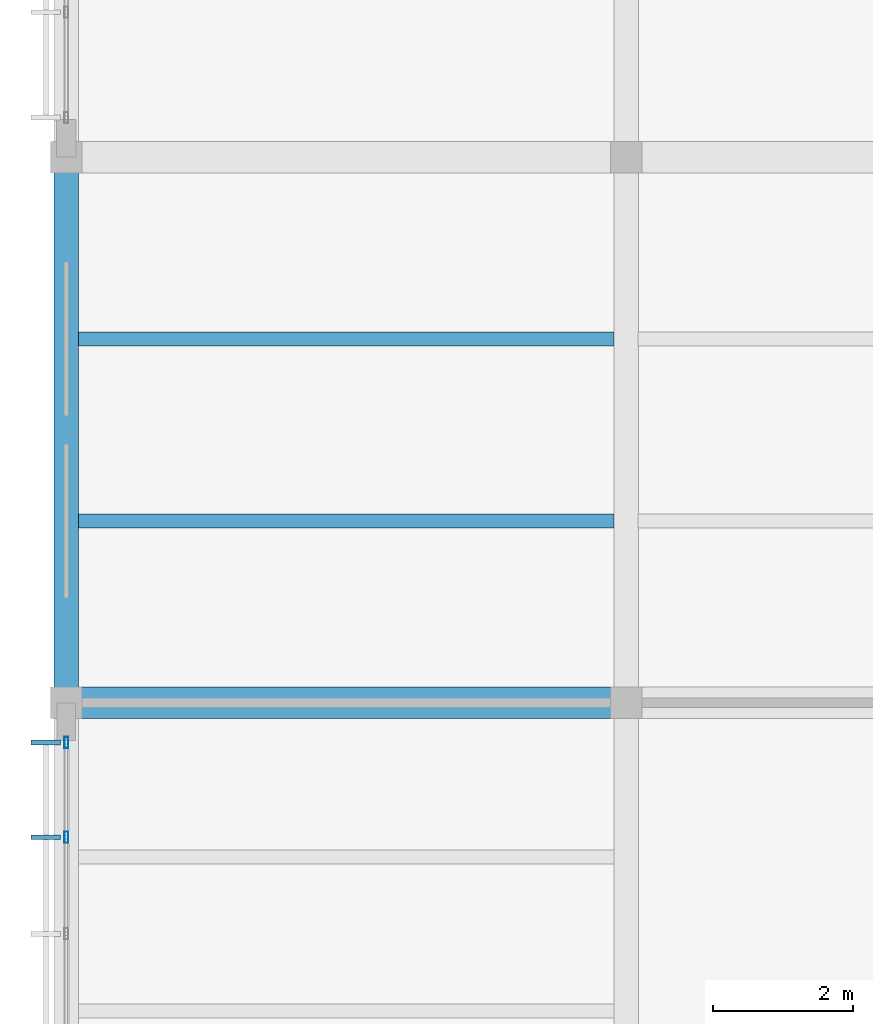
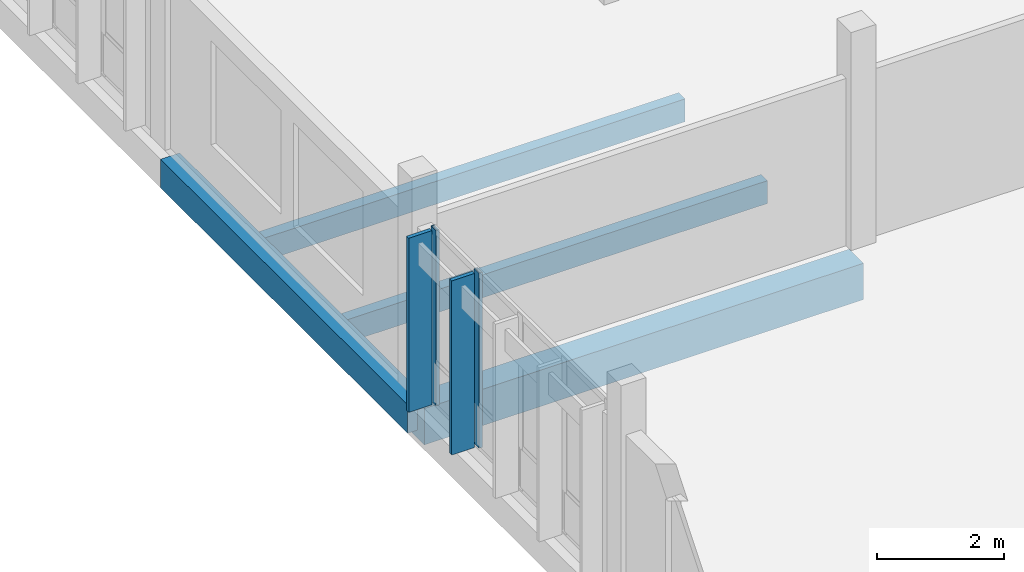
# One storey, part 41 of 182: 4 beams, 4 members, 1 element without a shape of its own.
"""IFC4 building model written with IfcOpenShell, lengths in metres."""

from ifc_helpers import new_model, si_unit, direction, frame, origin, origin_2d, place, context, subcontext, project, spatial, rectangle, hollow_rectangle, extrude, material, material_profile, profile_set, type_object, element, aggregate, save


model = new_model("IFC4")

# Units and contexts
model_context = context("Model", 3, precision=1e-05, world=origin(), true_north=direction((0.0, 1.0)))
body_context = subcontext(model_context, "Body", "Model", "MODEL_VIEW")
ifc_project = project(units=[si_unit("LENGTHUNIT", "METRE"), si_unit("AREAUNIT", "SQUARE_METRE"), si_unit("VOLUMEUNIT", "CUBIC_METRE"), si_unit("PLANEANGLEUNIT", "RADIAN"), si_unit("MASSUNIT", "GRAM", prefix="KILO")], contexts=[model_context])

# Site, building, storey
site_placement = place(None, origin())
site = spatial("IfcSite", under=ifc_project, at=site_placement, CompositionType="ELEMENT")
building_placement = place(site_placement, origin())
building = spatial("IfcBuilding", under=site, at=building_placement, Name="Chiffa Square Polytechnic", CompositionType="ELEMENT")
storey_placement = place(building_placement, frame((0.0, 0.0, 9.60009765625)))
storey = spatial("IfcBuildingStorey", under=building, at=storey_placement, Name="L02", CompositionType="ELEMENT", Elevation=9.60009765625)

# Beams
ifc_material_1 = material(Name="Concrete C35/45", Category="concrete")
ifc_material_profile_1 = material_profile(ifc_material_1, rectangle(XDim=0.35009765625, YDim=0.550048828125, at=origin_2d()), Name="RC 350x550")
ifc_profile_set_1 = profile_set([ifc_material_profile_1], Name="Concrete C35/45")
beam_type_1 = type_object("IfcBeamType", Name="BM-RC-350X550", PredefinedType="BEAM", material=ifc_profile_set_1)
beam_1_placement = place(storey_placement, frame((0.0, 57.60009765625, -0.59521484375), z_axis=(0.0, 1.0, 0.0), x_axis=(-1.0, 0.0, 0.0)))
element("IfcBeam", 1, at=beam_1_placement, inside=storey, type_object=beam_type_1, Name="Primary floor girder BM-V6-L02-Y-0000-0576", PredefinedType="BEAM", context=body_context, shape_type="SweptSolid", body=[
    extrude(rectangle(XDim=0.35009765625, YDim=0.550048828125, at=origin_2d()), origin(), (0.0, 0.0, 1.0), 7.7998046875),
])
ifc_material_profile_2 = material_profile(ifc_material_1, rectangle(XDim=0.449951171875, YDim=0.699951171875, at=origin_2d()), Name="RC 450x700")
ifc_profile_set_2 = profile_set([ifc_material_profile_2], Name="Concrete C35/45")
beam_type_2 = type_object("IfcBeamType", Name="BM-RC-450X700", PredefinedType="BEAM", material=ifc_profile_set_2)
beam_2_placement = place(storey_placement, frame((0.0, 57.60009765625, -0.670166015625), z_axis=(1.0, 0.0, 0.0), x_axis=(0.0, 1.0, 0.0)))
element("IfcBeam", 2, at=beam_2_placement, inside=storey, type_object=beam_type_2, Name="Primary floor girder BM-V6-L02-X-0000-0576", PredefinedType="BEAM", context=body_context, shape_type="SweptSolid", body=[
    extrude(rectangle(XDim=0.449951171875, YDim=0.699951171875, at=origin_2d()), origin(), (0.0, 0.0, 1.0), 8.0),
])

# Curtain wall, members
ifc_material_2 = material(Name="Aluminium EN AW-6060 T66 and glulam shading", Category="wood")
curtain_wall_type = type_object("IfcCurtainWallType", Name="CW-VERT-600X380", PredefinedType="USERDEFINED", material=ifc_material_2)
curtain_wall_placement = place(storey_placement, origin())
curtain_wall = element("IfcCurtainWall", 3, at=curtain_wall_placement, inside=storey, type_object=curtain_wall_type, Name="Curtain wall CW-V6-L02-268", ObjectType="CURTAIN WALL", PredefinedType="USERDEFINED")
ifc_material_3 = material(Name="Aluminium EN AW-6060 T66", Category="aluminium")
ifc_material_profile_3 = material_profile(ifc_material_3, hollow_rectangle(XDim=0.06005859375, YDim=0.159912109375, WallThickness=0.00390625, at=origin_2d()), Name="ALU 60x160x4")
ifc_profile_set_3 = profile_set([ifc_material_profile_3], Name="Aluminium EN AW-6060 T66")
member_type_1 = type_object("IfcMemberType", Name="CWM-ALU-65X150", PredefinedType="MULLION", material=ifc_profile_set_3)
member_1_placement = place(storey_placement, frame((0.0, 57.034912109375, 0.0), z_axis=(0.0, 0.0, 1.0), x_axis=(1.0, 0.0, 0.0)))
member_1 = element("IfcMember", 4, at=member_1_placement, type_object=member_type_1, Name="Curtain wall mullion CW-V6-L02-268-M00", PredefinedType="MULLION", context=body_context, shape_type="SweptSolid", body=[
    extrude(hollow_rectangle(XDim=0.06005859375, YDim=0.159912109375, WallThickness=0.00390625, at=origin_2d()), origin(), (0.0, 0.0, 1.0), 3.375),
])
member_2_placement = place(storey_placement, frame((0.0, 55.679931640625, 0.0), z_axis=(0.0, 0.0, 1.0), x_axis=(1.0, 0.0, 0.0)))
member_2 = element("IfcMember", 5, at=member_2_placement, type_object=member_type_1, Name="Curtain wall mullion CW-V6-L02-268-M01", PredefinedType="MULLION", context=body_context, shape_type="SweptSolid", body=[
    extrude(hollow_rectangle(XDim=0.06005859375, YDim=0.159912109375, WallThickness=0.00390625, at=origin_2d()), origin(), (0.0, 0.0, 1.0), 3.375),
])
ifc_material_4 = material(Name="Glulam GL28h", Category="wood")
ifc_material_profile_4 = material_profile(ifc_material_4, rectangle(XDim=0.070068359375, YDim=0.419921875, at=origin_2d()), Name="GL28h 70x420")
ifc_profile_set_4 = profile_set([ifc_material_profile_4], Name="Glulam GL28h")
member_type_2 = type_object("IfcMemberType", Name="CWM-GL-70X420", PredefinedType="MULLION", material=ifc_profile_set_4)
member_3_placement = place(storey_placement, frame((-0.2919921875, 57.034912109375, 0.010009765625), z_axis=(0.0, 0.0, 1.0), x_axis=(0.0, -1.0, 0.0)))
member_3 = element("IfcMember", 6, at=member_3_placement, type_object=member_type_2, Name="Exterior glulam solar fin CW-V6-L02-268-FN00", PredefinedType="MULLION", context=body_context, shape_type="SweptSolid", body=[
    extrude(rectangle(XDim=0.070068359375, YDim=0.419921875, at=origin_2d()), origin(), (0.0, 0.0, 1.0), 3.35498046875),
])
member_4_placement = place(storey_placement, frame((-0.2919921875, 55.679931640625, 0.010009765625), z_axis=(0.0, 0.0, 1.0), x_axis=(0.0, -1.0, 0.0)))
member_4 = element("IfcMember", 7, at=member_4_placement, type_object=member_type_2, Name="Exterior glulam solar fin CW-V6-L02-268-FN01", PredefinedType="MULLION", context=body_context, shape_type="SweptSolid", body=[
    extrude(rectangle(XDim=0.070068359375, YDim=0.419921875, at=origin_2d()), origin(), (0.0, 0.0, 1.0), 3.35498046875),
])
aggregate(curtain_wall, [member_1, member_3, member_2, member_4])

# Beams
ifc_material_profile_5 = material_profile(ifc_material_4, rectangle(XDim=0.199951171875, YDim=0.43994140625, at=origin_2d()), Name="GL28h 200x440")
ifc_profile_set_5 = profile_set([ifc_material_profile_5], Name="Glulam GL28h")
beam_type_3 = type_object("IfcBeamType", Name="JST-GL-200X440", PredefinedType="JOIST", material=ifc_profile_set_5)
for number, where, z_axis, x_axis, name in (
    (8, (0.173095703125, 60.199951171875, -0.5400390625), (1.0, 0.0, 0.0), (0.0, 1.0, 0.0), "Secondary floor joist JST-V6-L02-0000-0602"),
    (9, (0.173095703125, 62.800048828125, -0.5400390625), (1.0, 0.0, 0.0), (0.0, 1.0, 0.0), "Secondary floor joist JST-V6-L02-0000-0628"),
):
    element("IfcBeam", number, at=place(storey_placement, frame(where, z_axis=z_axis, x_axis=x_axis)), inside=storey, type_object=beam_type_3, Name=name, PredefinedType="JOIST", context=body_context, shape_type="SweptSolid", body=[
        extrude(rectangle(XDim=0.199951171875, YDim=0.43994140625, at=origin_2d()), origin(), (0.0, 0.0, 1.0), 7.65380859375),
    ])

save(model, "model.ifc")
